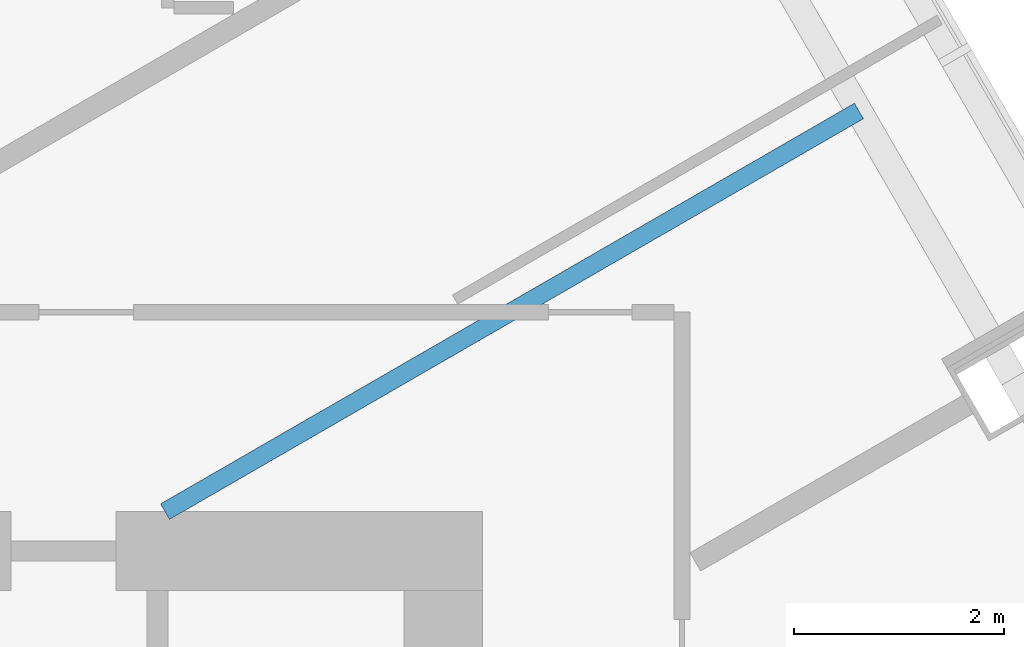
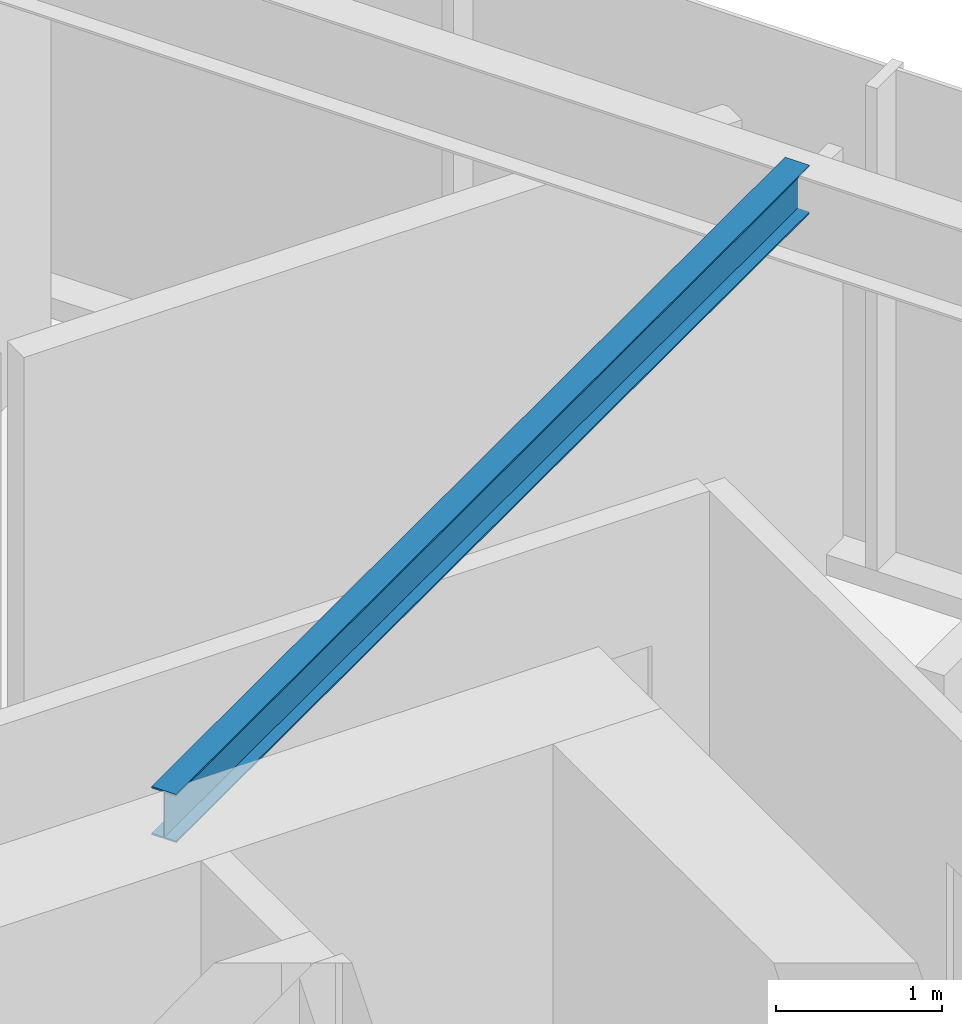
# One storey, part 8 of 19: 1 beam.
"""IFC4 building model written with IfcOpenShell, lengths in metres."""

from ifc_helpers import new_model, si_unit, direction, frame, origin, origin_2d, place, context, subcontext, project, spatial, i_section, extrude, material, material_profile, profile_set, type_object, element, save


model = new_model("IFC4")

# Units and contexts
model_context = context("Model", 3, precision=1e-05, world=origin(), true_north=direction((0.0, 1.0)))
body_context = subcontext(model_context, "Body", "Model", "MODEL_VIEW")
ifc_project = project(units=[si_unit("LENGTHUNIT", "METRE"), si_unit("AREAUNIT", "SQUARE_METRE"), si_unit("VOLUMEUNIT", "CUBIC_METRE"), si_unit("PLANEANGLEUNIT", "RADIAN"), si_unit("MASSUNIT", "GRAM", prefix="KILO")], contexts=[model_context])

# Site, building, storey
site_placement = place(None, origin())
site = spatial("IfcSite", under=ifc_project, at=site_placement, CompositionType="ELEMENT")
building_placement = place(site_placement, origin())
building = spatial("IfcBuilding", under=site, at=building_placement, Name="Firuza Gate Tower and Library", CompositionType="ELEMENT")
storey_placement = place(building_placement, frame((0.0, 0.0, 183.10009765625)))
storey = spatial("IfcBuildingStorey", under=building, at=storey_placement, Name="L42", CompositionType="ELEMENT", Elevation=183.10009765625)

# Beam
ifc_material = material(Name="Steel S355", Category="steel")
ifc_material_profile = material_profile(ifc_material, i_section(OverallWidth=0.1708984375, OverallDepth=0.35498046875, WebThickness=0.007080078125, FlangeThickness=0.01171875, at=origin_2d()))
ifc_profile_set = profile_set([ifc_material_profile], Name="Steel S355")
beam_type = type_object("IfcBeamType", Name="W360x51 Floor beam", PredefinedType="JOIST", material=ifc_profile_set)
beam_placement = place(storey_placement, frame((89.585693359375, 86.8173828125, 3.5224609375), z_axis=(-0.866022634277, -0.500004796897, 0.0), x_axis=(0.500004796897, -0.866022634277, 0.0)))
element("IfcBeam", 1, at=beam_placement, inside=storey, type_object=beam_type, Name="Floor beam L42 s53", PredefinedType="JOIST", context=body_context, shape_type="SweptSolid", body=[
    extrude(i_section(OverallWidth=0.1708984375, OverallDepth=0.35498046875, WebThickness=0.007080078125, FlangeThickness=0.01171875, at=origin_2d()), origin(), (0.0, 0.0, 1.0), 7.634765625),
])

save(model, "model.ifc")
